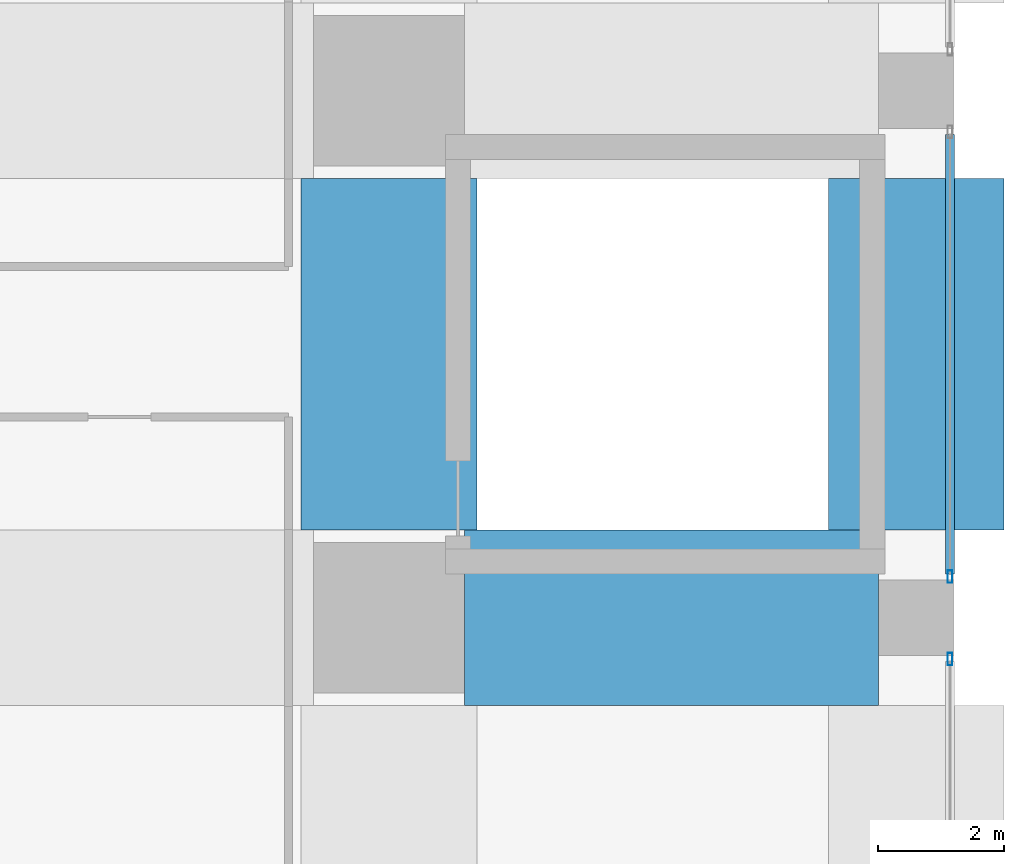
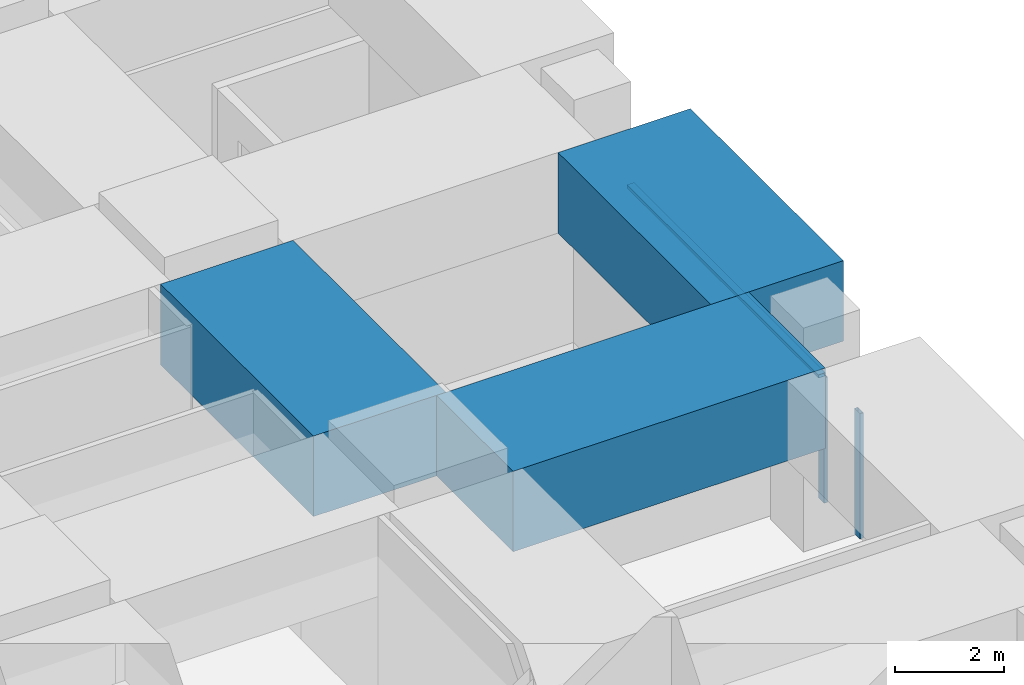
# One storey, part 33 of 52: 3 beams, 3 members, 2 elements without a shape of their own.
"""IFC4 building model written with IfcOpenShell, lengths in metres."""

from ifc_helpers import new_model, si_unit, direction, frame, origin, origin_2d, place, context, subcontext, project, spatial, rectangle, hollow_rectangle, extrude, material, material_profile, profile_set, type_object, element, aggregate, save


model = new_model("IFC4")

# Units and contexts
model_context = context("Model", 3, precision=1e-05, world=origin(), true_north=direction((0.0, 1.0)))
body_context = subcontext(model_context, "Body", "Model", "MODEL_VIEW")
ifc_project = project(units=[si_unit("LENGTHUNIT", "METRE"), si_unit("AREAUNIT", "SQUARE_METRE"), si_unit("VOLUMEUNIT", "CUBIC_METRE"), si_unit("PLANEANGLEUNIT", "RADIAN"), si_unit("MASSUNIT", "GRAM", prefix="KILO")], contexts=[model_context])

# Site, building, storey
site_placement = place(None, origin())
site = spatial("IfcSite", under=ifc_project, at=site_placement, CompositionType="ELEMENT")
building_placement = place(site_placement, origin())
building = spatial("IfcBuilding", under=site, at=building_placement, Name="Rekha Terrace Tower", CompositionType="ELEMENT")
storey_placement = place(building_placement, frame((0.0, 0.0, 20.39990234375)))
storey = spatial("IfcBuildingStorey", under=building, at=storey_placement, Name="L04", CompositionType="ELEMENT", Elevation=20.39990234375)

# Curtain wall, member
ifc_material_1 = material(Name="Aluminium framing", Category="aluminium")
curtain_wall_type = type_object("IfcCurtainWallType", Name="CW4 podium shopfront glazing", PredefinedType="USERDEFINED", material=ifc_material_1)
curtain_wall_1_placement = place(storey_placement, origin())
curtain_wall_1 = element("IfcCurtainWall", 1, at=curtain_wall_1_placement, inside=storey, type_object=curtain_wall_type, Name="CW4 shopfront curtain wall", ObjectType="SHOPFRONT CURTAIN WALL", PredefinedType="USERDEFINED")
ifc_material_2 = material(Name="Aluminium mullion section", Category="aluminium")
ifc_material_profile_1 = material_profile(ifc_material_2, hollow_rectangle(XDim=0.074951171875, YDim=0.199951171875, WallThickness=0.00390625, at=origin_2d()), Name="AL RHS 75x200")
ifc_profile_set_1 = profile_set([ifc_material_profile_1], Name="Aluminium mullion section")
member_type_1 = type_object("IfcMemberType", Name="CW4 mullion RHS 75 x 200", PredefinedType="MULLION", material=ifc_profile_set_1)
member_1_placement = place(storey_placement, frame((76.139892578125, 24.54248046875, 0.0), z_axis=(0.0, 0.0, 1.0), x_axis=(-1.0, 0.0, 0.0)))
member_1 = element("IfcMember", 2, at=member_1_placement, type_object=member_type_1, Name="CW4 mullion 2", PredefinedType="MULLION", context=body_context, shape_type="SweptSolid", body=[
    extrude(hollow_rectangle(XDim=0.074951171875, YDim=0.199951171875, WallThickness=0.00390625, at=origin_2d()), origin(), (0.0, 0.0, 1.0), 2.800048828125),
])
aggregate(curtain_wall_1, [member_1])

# Curtain wall, members
curtain_wall_2_placement = place(storey_placement, origin())
curtain_wall_2 = element("IfcCurtainWall", 3, at=curtain_wall_2_placement, inside=storey, type_object=curtain_wall_type, Name="CW4 shopfront curtain wall", ObjectType="SHOPFRONT CURTAIN WALL", PredefinedType="USERDEFINED")
member_2_placement = place(storey_placement, frame((76.139892578125, 25.857421875, 0.0), z_axis=(0.0, 0.0, 1.0), x_axis=(-1.0, 0.0, 0.0)))
member_2 = element("IfcMember", 4, at=member_2_placement, type_object=member_type_1, Name="CW4 mullion 1", PredefinedType="MULLION", context=body_context, shape_type="SweptSolid", body=[
    extrude(hollow_rectangle(XDim=0.074951171875, YDim=0.199951171875, WallThickness=0.00390625, at=origin_2d()), origin(), (0.0, 0.0, 1.0), 2.800048828125),
])
ifc_material_3 = material(Name="Aluminium transom section", Category="aluminium")
ifc_material_profile_2 = material_profile(ifc_material_3, hollow_rectangle(XDim=0.14990234375, YDim=0.074951171875, WallThickness=0.0029296875, at=origin_2d()), Name="AL RHS 150x75")
ifc_profile_set_2 = profile_set([ifc_material_profile_2], Name="Aluminium transom section")
member_type_2 = type_object("IfcMemberType", Name="CW4 transom RHS 75 x 150", PredefinedType="USERDEFINED", material=ifc_profile_set_2)
member_3_placement = place(storey_placement, frame((76.139892578125, 25.89501953125, 2.7626953125), z_axis=(0.0, 1.0, 0.0), x_axis=(-1.0, 0.0, 0.0)))
member_3 = element("IfcMember", 5, at=member_3_placement, type_object=member_type_2, Name="CW4 transom 1.2", ObjectType="TRANSOM", PredefinedType="USERDEFINED", context=body_context, shape_type="SweptSolid", body=[
    extrude(hollow_rectangle(XDim=0.14990234375, YDim=0.074951171875, WallThickness=0.0029296875, at=origin_2d()), origin(), (0.0, 0.0, 1.0), 7.010009765625),
])
aggregate(curtain_wall_2, [member_2, member_3])

# Beams
ifc_material_4 = material(Name="Concrete M70", Category="concrete")
ifc_material_profile_3 = material_profile(ifc_material_4, rectangle(XDim=2.800048828125, YDim=1.800048828125, at=origin_2d()), Name="RC 2800x1800")
ifc_profile_set_3 = profile_set([ifc_material_profile_3], Name="Concrete M70")
beam_type = type_object("IfcBeamType", Name="G2 2800x1800 podium roof band beam", PredefinedType="BEAM", material=ifc_profile_set_3)
beam_placement = place(storey_placement, frame((68.39990234375, 25.199951171875, 3.7001953125), z_axis=(1.0, 0.0, 0.0), x_axis=(0.0, 1.0, 0.0)))
element("IfcBeam", 6, at=beam_placement, inside=storey, type_object=beam_type, Name="Beam G2 9D-10D under L05", PredefinedType="BEAM", context=body_context, shape_type="SweptSolid", body=[
    extrude(rectangle(XDim=2.800048828125, YDim=1.800048828125, at=origin_2d()), origin(), (0.0, 0.0, 1.0), 6.60009765625),
])
for number, where, z_axis, x_axis, name in (
    (7, (67.199951171875, 26.60009765625, 3.7001953125), (0.0, 1.0, 0.0), (-1.0, 0.0, 0.0), "Beam G2 9D-9E under L05"),
    (8, (75.60009765625, 26.60009765625, 3.7001953125), (0.0, 1.0, 0.0), (-1.0, 0.0, 0.0), "Beam G2 10D-10E under L05"),
):
    element("IfcBeam", number, at=place(storey_placement, frame(where, z_axis=z_axis, x_axis=x_axis)), inside=storey, type_object=beam_type, Name=name, PredefinedType="BEAM", context=body_context, shape_type="SweptSolid", body=[
        extrude(rectangle(XDim=2.800048828125, YDim=1.800048828125, at=origin_2d()), origin(), (0.0, 0.0, 1.0), 5.599853515625),
    ])

save(model, "model.ifc")
